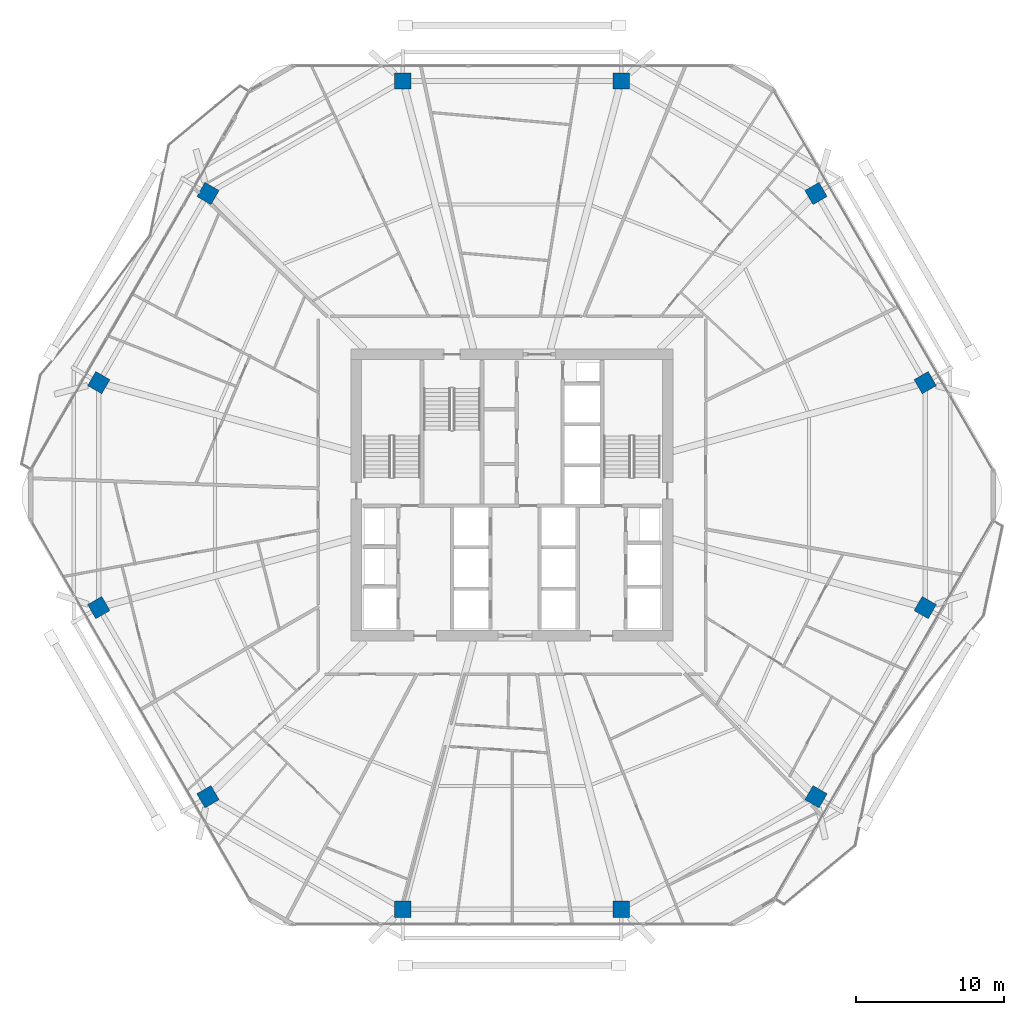
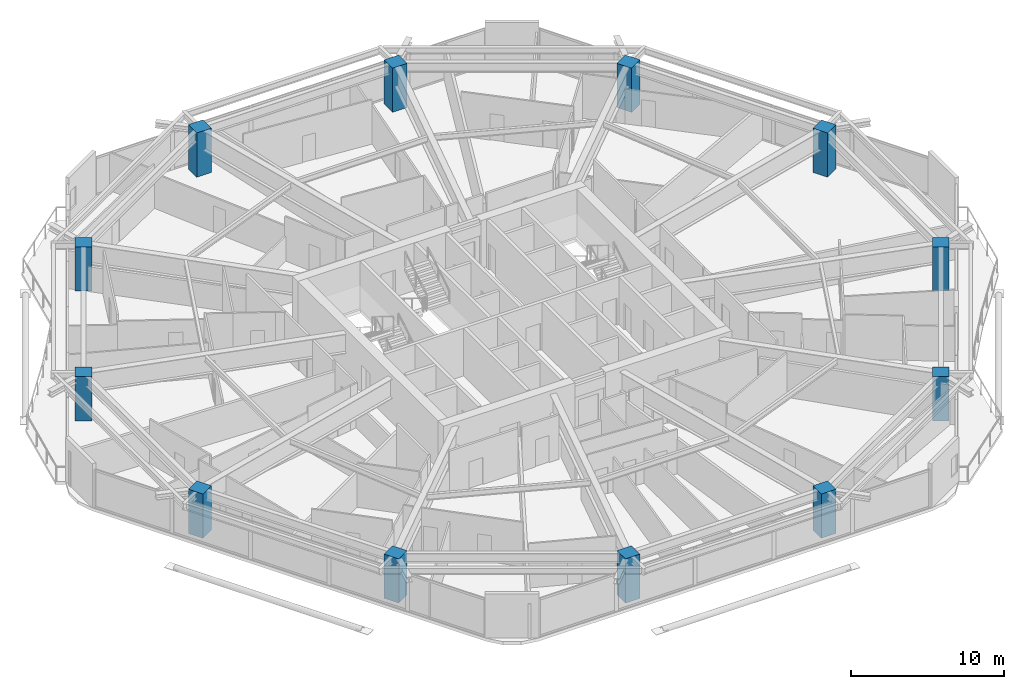
# One storey, part 1 of 33: 12 columns.
"""IFC4 building model written with IfcOpenShell, lengths in metres."""

from ifc_helpers import new_model, si_unit, direction, frame, origin, origin_2d, place, context, subcontext, project, spatial, rectangle, extrude, material, material_profile, profile_set, type_object, element, save


model = new_model("IFC4")

# Units and contexts
model_context = context("Model", 3, precision=1e-05, world=origin(), true_north=direction((0.0, 1.0)))
body_context = subcontext(model_context, "Body", "Model", "MODEL_VIEW")
ifc_project = project(units=[si_unit("LENGTHUNIT", "METRE"), si_unit("AREAUNIT", "SQUARE_METRE"), si_unit("VOLUMEUNIT", "CUBIC_METRE"), si_unit("PLANEANGLEUNIT", "RADIAN"), si_unit("MASSUNIT", "GRAM", prefix="KILO")], contexts=[model_context])

# Site, building, storey
site_placement = place(None, origin())
site = spatial("IfcSite", under=ifc_project, at=site_placement, CompositionType="ELEMENT")
building_placement = place(site_placement, origin())
building = spatial("IfcBuilding", under=site, at=building_placement, Name="Zuhravey Tower", CompositionType="ELEMENT")
storey_placement = place(building_placement, frame((0.0, 0.0, 141.800048828125)))
storey = spatial("IfcBuildingStorey", under=building, at=storey_placement, Name="L35", CompositionType="ELEMENT", Elevation=141.800048828125)

# Columns
ifc_material = material(Name="Concrete C60/75", Category="concrete")
ifc_material_profile = material_profile(ifc_material, rectangle(XDim=1.10009765625, YDim=1.10009765625, at=origin_2d()), Name="RC-1100x1100")
ifc_profile_set = profile_set([ifc_material_profile], Name="Concrete C60/75")
column_type = type_object("IfcColumnType", Name="Zone 1 Upper Column 1100x1100", PredefinedType="COLUMN", material=ifc_profile_set)
for number, where, z_axis, x_axis, name in (
    (1, (63.88916015625, 39.591552734375, 0.0), (0.0, 0.0, 1.0), (-0.5, 0.866025403784, 0.0), "L35 Perimeter Column PC01"),
    (2, (56.51904296875, 52.35693359375, 0.0), (0.0, 0.0, 1.0), (-0.5, 0.866025403784, 0.0), "L35 Perimeter Column PC02"),
    (3, (43.3701171875, 59.948486328125, 0.0), (0.0, 0.0, 1.0), (-1.0, 0.0, 0.0), "L35 Perimeter Column PC03"),
    (4, (28.6298828125, 59.948486328125, 0.0), (0.0, 0.0, 1.0), (-1.0, 0.0, 0.0), "L35 Perimeter Column PC04"),
    (5, (15.48095703125, 52.35693359375, 0.0), (0.0, 0.0, 1.0), (-0.5, -0.866025403784, 0.0), "L35 Perimeter Column PC05"),
    (6, (8.11083984375, 39.591552734375, 0.0), (0.0, 0.0, 1.0), (-0.5, -0.866025403784, 0.0), "L35 Perimeter Column PC06"),
    (7, (8.11083984375, 24.408447265625, 0.0), (0.0, 0.0, 1.0), (0.5, -0.866025403784, 0.0), "L35 Perimeter Column PC07"),
    (8, (15.48095703125, 11.64306640625, 0.0), (0.0, 0.0, 1.0), (0.5, -0.866025403784, 0.0), "L35 Perimeter Column PC08"),
    (9, (28.6298828125, 4.051513671875, 0.0), (0.0, 0.0, 1.0), (1.0, 0.0, 0.0), "L35 Perimeter Column PC09"),
    (10, (43.3701171875, 4.051513671875, 0.0), (0.0, 0.0, 1.0), (1.0, 0.0, 0.0), "L35 Perimeter Column PC10"),
    (11, (56.51904296875, 11.64306640625, 0.0), (0.0, 0.0, 1.0), (0.5, 0.866025403784, 0.0), "L35 Perimeter Column PC11"),
    (12, (63.88916015625, 24.408447265625, 0.0), (0.0, 0.0, 1.0), (0.5, 0.866025403784, 0.0), "L35 Perimeter Column PC12"),
):
    element("IfcColumn", number, at=place(storey_placement, frame(where, z_axis=z_axis, x_axis=x_axis)), inside=storey, type_object=column_type, Name=name, PredefinedType="COLUMN", context=body_context, shape_type="SweptSolid", body=[
        extrude(rectangle(XDim=1.10009765625, YDim=1.10009765625, at=origin_2d()), origin(), (0.0, 0.0, 1.0), 3.52001953125),
    ])

save(model, "model.ifc")
